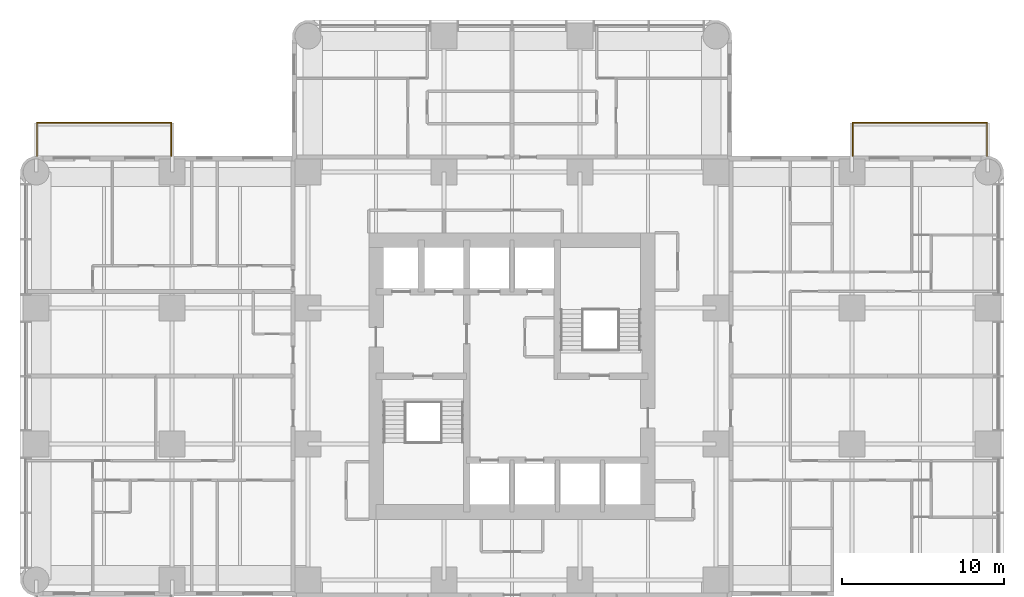
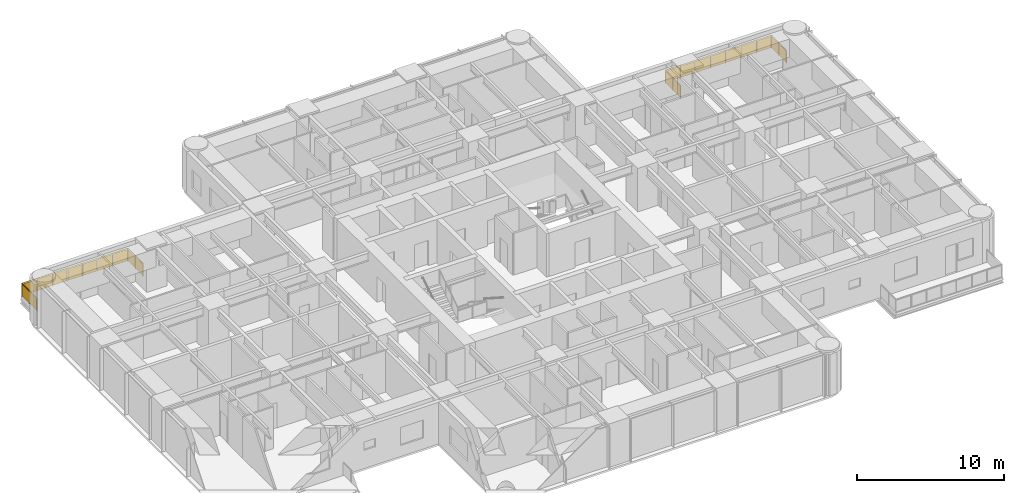
# One storey, part 15 of 15: 2 railings.
"""IFC4 building model written with IfcOpenShell, lengths in metres."""

from ifc_helpers import new_model, si_unit, direction, frame, origin, origin_2d, place, context, subcontext, project, spatial, polyline, circle, outline, extrude, material, constituent, constituent_set, type_object, element, save


model = new_model("IFC4")

# Units and contexts
model_context = context("Model", 3, precision=1e-05, world=origin(), true_north=direction((0.0, 1.0)))
body_context = subcontext(model_context, "Body", "Model", "MODEL_VIEW")
ifc_project = project(units=[si_unit("LENGTHUNIT", "METRE"), si_unit("AREAUNIT", "SQUARE_METRE"), si_unit("VOLUMEUNIT", "CUBIC_METRE"), si_unit("PLANEANGLEUNIT", "RADIAN"), si_unit("MASSUNIT", "GRAM", prefix="KILO")], contexts=[model_context])

# Site, building, storey
site_placement = place(None, origin())
site = spatial("IfcSite", under=ifc_project, at=site_placement, CompositionType="ELEMENT")
building_placement = place(site_placement, origin())
building = spatial("IfcBuilding", under=site, at=building_placement, Name="Torre Alcanfor", CompositionType="ELEMENT")
storey_placement = place(building_placement, frame((0.0, 0.0, 119.699951171875)))
storey = spatial("IfcBuildingStorey", under=building, at=storey_placement, Name="L30", CompositionType="ELEMENT", Elevation=119.699951171875)

# Railings
ifc_material_1 = material(Name="Laminated safety glass", Category="glass")
ifc_constituent_1 = constituent(ifc_material_1, Name="Infill")
ifc_material_2 = material(Name="Stainless steel ASTM A554 Grade MT 316L tube", Category="steel")
ifc_constituent_2 = constituent(ifc_material_2, Name="Posts and rail")
ifc_constituent_set = constituent_set(constituents=[ifc_constituent_1, ifc_constituent_2], Name="Balcony guard glass 1100")
railing_type = type_object("IfcRailingType", Name="Balcony guard glass 1100", PredefinedType="BALUSTRADE", material=ifc_constituent_set)
railing_1_placement = place(storey_placement, frame((50.449951171875, 43.0, 0.0)))
element("IfcRailing", 1, at=railing_1_placement, inside=storey, type_object=railing_type, Name="Balcony guard L30-E1", PredefinedType="BALUSTRADE", context=body_context, shape_type="SweptSolid", body=[
    extrude(circle(Radius=0.02392578125, at=origin_2d()), frame((0.0, 0.0, 1.076171875), z_axis=(0.0, 1.0, 0.0), x_axis=(-1.0, 0.0, 0.0)), (0.0, 0.0, 1.0), 2.050048828125),
    extrude(circle(Radius=0.02392578125, at=origin_2d()), frame((0.0, 2.050048828125, 1.076171875), z_axis=(1.0, 0.0, 0.0), x_axis=(0.0, 1.0, 0.0)), (0.0, 0.0, 1.0), 8.300048828125),
    extrude(circle(Radius=0.02392578125, at=origin_2d()), frame((8.300048828125, 2.050048828125, 1.076171875), z_axis=(0.0, -1.0, 0.0), x_axis=(1.0, 0.0, 0.0)), (0.0, 0.0, 1.0), 2.050048828125),
    extrude(circle(Radius=0.02099609375, at=origin_2d()), origin(), (0.0, 0.0, 1.0), 1.052001953125),
    extrude(circle(Radius=0.02099609375, at=origin_2d()), frame((0.0, 1.02490234375, 0.0)), (0.0, 0.0, 1.0), 1.052001953125),
    extrude(circle(Radius=0.02099609375, at=origin_2d()), frame((0.0, 2.050048828125, 0.0)), (0.0, 0.0, 1.0), 1.052001953125),
    extrude(circle(Radius=0.02099609375, at=origin_2d()), frame((1.185791015625, 2.050048828125, 0.0)), (0.0, 0.0, 1.0), 1.052001953125),
    extrude(circle(Radius=0.02099609375, at=origin_2d()), frame((2.371337890625, 2.050048828125, 0.0)), (0.0, 0.0, 1.0), 1.052001953125),
    extrude(circle(Radius=0.02099609375, at=origin_2d()), frame((3.55712890625, 2.050048828125, 0.0)), (0.0, 0.0, 1.0), 1.052001953125),
    extrude(circle(Radius=0.02099609375, at=origin_2d()), frame((4.742919921875, 2.050048828125, 0.0)), (0.0, 0.0, 1.0), 1.052001953125),
    extrude(circle(Radius=0.02099609375, at=origin_2d()), frame((5.9287109375, 2.050048828125, 0.0)), (0.0, 0.0, 1.0), 1.052001953125),
    extrude(circle(Radius=0.02099609375, at=origin_2d()), frame((7.1142578125, 2.050048828125, 0.0)), (0.0, 0.0, 1.0), 1.052001953125),
    extrude(circle(Radius=0.02099609375, at=origin_2d()), frame((8.300048828125, 2.050048828125, 0.0)), (0.0, 0.0, 1.0), 1.052001953125),
    extrude(circle(Radius=0.02099609375, at=origin_2d()), frame((8.300048828125, 1.02490234375, 0.0)), (0.0, 0.0, 1.0), 1.052001953125),
    extrude(circle(Radius=0.02099609375, at=origin_2d()), frame((8.300048828125, 0.0, 0.0)), (0.0, 0.0, 1.0), 1.052001953125),
    extrude(outline(polyline([(0.041015625, 0.050048828125), (0.984130859375, 0.050048828125), (0.984130859375, 1.001953125), (0.041015625, 1.001953125), (0.041015625, 0.050048828125)])), frame((-0.005859375, 0.0, 0.0), z_axis=(1.0, 0.0, 0.0), x_axis=(0.0, 1.0, 0.0)), (0.0, 0.0, 1.0), 0.011962890625),
    extrude(outline(polyline([(1.06591796875, 0.050048828125), (2.009033203125, 0.050048828125), (2.009033203125, 1.001953125), (1.06591796875, 1.001953125), (1.06591796875, 0.050048828125)])), frame((-0.005859375, 0.0, 0.0), z_axis=(1.0, 0.0, 0.0), x_axis=(0.0, 1.0, 0.0)), (0.0, 0.0, 1.0), 0.011962890625),
    extrude(outline(polyline([(0.041015625, 0.050048828125), (1.144775390625, 0.050048828125), (1.144775390625, 1.001953125), (0.041015625, 1.001953125), (0.041015625, 0.050048828125)])), frame((0.0, 2.05615234375, 0.0), z_axis=(0.0, -1.0, 0.0), x_axis=(1.0, 0.0, 0.0)), (0.0, 0.0, 1.0), 0.011962890625),
    extrude(outline(polyline([(1.226806640625, 0.050048828125), (2.330322265625, 0.050048828125), (2.330322265625, 1.001953125), (1.226806640625, 1.001953125), (1.226806640625, 0.050048828125)])), frame((0.0, 2.05615234375, 0.0), z_axis=(0.0, -1.0, 0.0), x_axis=(1.0, 0.0, 0.0)), (0.0, 0.0, 1.0), 0.011962890625),
    extrude(outline(polyline([(2.412353515625, 0.050048828125), (3.51611328125, 0.050048828125), (3.51611328125, 1.001953125), (2.412353515625, 1.001953125), (2.412353515625, 0.050048828125)])), frame((0.0, 2.05615234375, 0.0), z_axis=(0.0, -1.0, 0.0), x_axis=(1.0, 0.0, 0.0)), (0.0, 0.0, 1.0), 0.011962890625),
    extrude(outline(polyline([(3.59814453125, 0.050048828125), (4.701904296875, 0.050048828125), (4.701904296875, 1.001953125), (3.59814453125, 1.001953125), (3.59814453125, 0.050048828125)])), frame((0.0, 2.05615234375, 0.0), z_axis=(0.0, -1.0, 0.0), x_axis=(1.0, 0.0, 0.0)), (0.0, 0.0, 1.0), 0.011962890625),
    extrude(outline(polyline([(4.783935546875, 0.050048828125), (5.8876953125, 0.050048828125), (5.8876953125, 1.001953125), (4.783935546875, 1.001953125), (4.783935546875, 0.050048828125)])), frame((0.0, 2.05615234375, 0.0), z_axis=(0.0, -1.0, 0.0), x_axis=(1.0, 0.0, 0.0)), (0.0, 0.0, 1.0), 0.011962890625),
    extrude(outline(polyline([(5.9697265625, 0.050048828125), (7.0732421875, 0.050048828125), (7.0732421875, 1.001953125), (5.9697265625, 1.001953125), (5.9697265625, 0.050048828125)])), frame((0.0, 2.05615234375, 0.0), z_axis=(0.0, -1.0, 0.0), x_axis=(1.0, 0.0, 0.0)), (0.0, 0.0, 1.0), 0.011962890625),
    extrude(outline(polyline([(7.1552734375, 0.050048828125), (8.259033203125, 0.050048828125), (8.259033203125, 1.001953125), (7.1552734375, 1.001953125), (7.1552734375, 0.050048828125)])), frame((0.0, 2.05615234375, 0.0), z_axis=(0.0, -1.0, 0.0), x_axis=(1.0, 0.0, 0.0)), (0.0, 0.0, 1.0), 0.011962890625),
    extrude(outline(polyline([(0.041015625, 0.050048828125), (0.984130859375, 0.050048828125), (0.984130859375, 1.001953125), (0.041015625, 1.001953125), (0.041015625, 0.050048828125)])), frame((8.30615234375, 2.050048828125, 0.0), z_axis=(-1.0, 0.0, 0.0), x_axis=(0.0, -1.0, 0.0)), (0.0, 0.0, 1.0), 0.011962890625),
    extrude(outline(polyline([(1.06591796875, 0.050048828125), (2.009033203125, 0.050048828125), (2.009033203125, 1.001953125), (1.06591796875, 1.001953125), (1.06591796875, 0.050048828125)])), frame((8.30615234375, 2.050048828125, 0.0), z_axis=(-1.0, 0.0, 0.0), x_axis=(0.0, -1.0, 0.0)), (0.0, 0.0, 1.0), 0.011962890625),
])
railing_2_placement = place(storey_placement, frame((8.35009765625, 43.0, 0.0)))
element("IfcRailing", 2, at=railing_2_placement, inside=storey, type_object=railing_type, Name="Balcony guard L30-W2", PredefinedType="BALUSTRADE", context=body_context, shape_type="SweptSolid", body=[
    extrude(circle(Radius=0.02392578125, at=origin_2d()), frame((0.0, 0.0, 1.076171875), z_axis=(0.0, 1.0, 0.0), x_axis=(-1.0, 0.0, 0.0)), (0.0, 0.0, 1.0), 2.050048828125),
    extrude(circle(Radius=0.02392578125, at=origin_2d()), frame((0.0, 2.050048828125, 1.076171875), z_axis=(-1.0, 0.0, 0.0), x_axis=(0.0, -1.0, 0.0)), (0.0, 0.0, 1.0), 8.300048828125),
    extrude(circle(Radius=0.02392578125, at=origin_2d()), frame((-8.300048828125, 2.050048828125, 1.076171875), z_axis=(0.0, -1.0, 0.0), x_axis=(1.0, 0.0, 0.0)), (0.0, 0.0, 1.0), 2.050048828125),
    extrude(circle(Radius=0.02099609375, at=origin_2d()), origin(), (0.0, 0.0, 1.0), 1.052001953125),
    extrude(circle(Radius=0.02099609375, at=origin_2d()), frame((0.0, 1.02490234375, 0.0)), (0.0, 0.0, 1.0), 1.052001953125),
    extrude(circle(Radius=0.02099609375, at=origin_2d()), frame((0.0, 2.050048828125, 0.0)), (0.0, 0.0, 1.0), 1.052001953125),
    extrude(circle(Radius=0.02099609375, at=origin_2d()), frame((-1.185791015625, 2.050048828125, 0.0)), (0.0, 0.0, 1.0), 1.052001953125),
    extrude(circle(Radius=0.02099609375, at=origin_2d()), frame((-2.371337890625, 2.050048828125, 0.0)), (0.0, 0.0, 1.0), 1.052001953125),
    extrude(circle(Radius=0.02099609375, at=origin_2d()), frame((-3.55712890625, 2.050048828125, 0.0)), (0.0, 0.0, 1.0), 1.052001953125),
    extrude(circle(Radius=0.02099609375, at=origin_2d()), frame((-4.742919921875, 2.050048828125, 0.0)), (0.0, 0.0, 1.0), 1.052001953125),
    extrude(circle(Radius=0.02099609375, at=origin_2d()), frame((-5.9287109375, 2.050048828125, 0.0)), (0.0, 0.0, 1.0), 1.052001953125),
    extrude(circle(Radius=0.02099609375, at=origin_2d()), frame((-7.1142578125, 2.050048828125, 0.0)), (0.0, 0.0, 1.0), 1.052001953125),
    extrude(circle(Radius=0.02099609375, at=origin_2d()), frame((-8.300048828125, 2.050048828125, 0.0)), (0.0, 0.0, 1.0), 1.052001953125),
    extrude(circle(Radius=0.02099609375, at=origin_2d()), frame((-8.300048828125, 1.02490234375, 0.0)), (0.0, 0.0, 1.0), 1.052001953125),
    extrude(circle(Radius=0.02099609375, at=origin_2d()), frame((-8.300048828125, 0.0, 0.0)), (0.0, 0.0, 1.0), 1.052001953125),
    extrude(outline(polyline([(0.041015625, 0.050048828125), (0.984130859375, 0.050048828125), (0.984130859375, 1.001953125), (0.041015625, 1.001953125), (0.041015625, 0.050048828125)])), frame((-0.005859375, 0.0, 0.0), z_axis=(1.0, 0.0, 0.0), x_axis=(0.0, 1.0, 0.0)), (0.0, 0.0, 1.0), 0.011962890625),
    extrude(outline(polyline([(1.06591796875, 0.050048828125), (2.009033203125, 0.050048828125), (2.009033203125, 1.001953125), (1.06591796875, 1.001953125), (1.06591796875, 0.050048828125)])), frame((-0.005859375, 0.0, 0.0), z_axis=(1.0, 0.0, 0.0), x_axis=(0.0, 1.0, 0.0)), (0.0, 0.0, 1.0), 0.011962890625),
    extrude(outline(polyline([(0.041015625, 0.050048828125), (1.144775390625, 0.050048828125), (1.144775390625, 1.001953125), (0.041015625, 1.001953125), (0.041015625, 0.050048828125)])), frame((0.0, 2.0439453125, 0.0), z_axis=(0.0, 1.0, 0.0), x_axis=(-1.0, 0.0, 0.0)), (0.0, 0.0, 1.0), 0.011962890625),
    extrude(outline(polyline([(1.226806640625, 0.050048828125), (2.330322265625, 0.050048828125), (2.330322265625, 1.001953125), (1.226806640625, 1.001953125), (1.226806640625, 0.050048828125)])), frame((0.0, 2.0439453125, 0.0), z_axis=(0.0, 1.0, 0.0), x_axis=(-1.0, 0.0, 0.0)), (0.0, 0.0, 1.0), 0.011962890625),
    extrude(outline(polyline([(2.412353515625, 0.050048828125), (3.51611328125, 0.050048828125), (3.51611328125, 1.001953125), (2.412353515625, 1.001953125), (2.412353515625, 0.050048828125)])), frame((0.0, 2.0439453125, 0.0), z_axis=(0.0, 1.0, 0.0), x_axis=(-1.0, 0.0, 0.0)), (0.0, 0.0, 1.0), 0.011962890625),
    extrude(outline(polyline([(3.59814453125, 0.050048828125), (4.701904296875, 0.050048828125), (4.701904296875, 1.001953125), (3.59814453125, 1.001953125), (3.59814453125, 0.050048828125)])), frame((0.0, 2.0439453125, 0.0), z_axis=(0.0, 1.0, 0.0), x_axis=(-1.0, 0.0, 0.0)), (0.0, 0.0, 1.0), 0.011962890625),
    extrude(outline(polyline([(4.783935546875, 0.050048828125), (5.8876953125, 0.050048828125), (5.8876953125, 1.001953125), (4.783935546875, 1.001953125), (4.783935546875, 0.050048828125)])), frame((0.0, 2.0439453125, 0.0), z_axis=(0.0, 1.0, 0.0), x_axis=(-1.0, 0.0, 0.0)), (0.0, 0.0, 1.0), 0.011962890625),
    extrude(outline(polyline([(5.9697265625, 0.050048828125), (7.0732421875, 0.050048828125), (7.0732421875, 1.001953125), (5.9697265625, 1.001953125), (5.9697265625, 0.050048828125)])), frame((0.0, 2.0439453125, 0.0), z_axis=(0.0, 1.0, 0.0), x_axis=(-1.0, 0.0, 0.0)), (0.0, 0.0, 1.0), 0.011962890625),
    extrude(outline(polyline([(7.1552734375, 0.050048828125), (8.259033203125, 0.050048828125), (8.259033203125, 1.001953125), (7.1552734375, 1.001953125), (7.1552734375, 0.050048828125)])), frame((0.0, 2.0439453125, 0.0), z_axis=(0.0, 1.0, 0.0), x_axis=(-1.0, 0.0, 0.0)), (0.0, 0.0, 1.0), 0.011962890625),
    extrude(outline(polyline([(0.041015625, 0.050048828125), (0.984130859375, 0.050048828125), (0.984130859375, 1.001953125), (0.041015625, 1.001953125), (0.041015625, 0.050048828125)])), frame((-8.2939453125, 2.050048828125, 0.0), z_axis=(-1.0, 0.0, 0.0), x_axis=(0.0, -1.0, 0.0)), (0.0, 0.0, 1.0), 0.011962890625),
    extrude(outline(polyline([(1.06591796875, 0.050048828125), (2.009033203125, 0.050048828125), (2.009033203125, 1.001953125), (1.06591796875, 1.001953125), (1.06591796875, 0.050048828125)])), frame((-8.2939453125, 2.050048828125, 0.0), z_axis=(-1.0, 0.0, 0.0), x_axis=(0.0, -1.0, 0.0)), (0.0, 0.0, 1.0), 0.011962890625),
])

save(model, "model.ifc")
